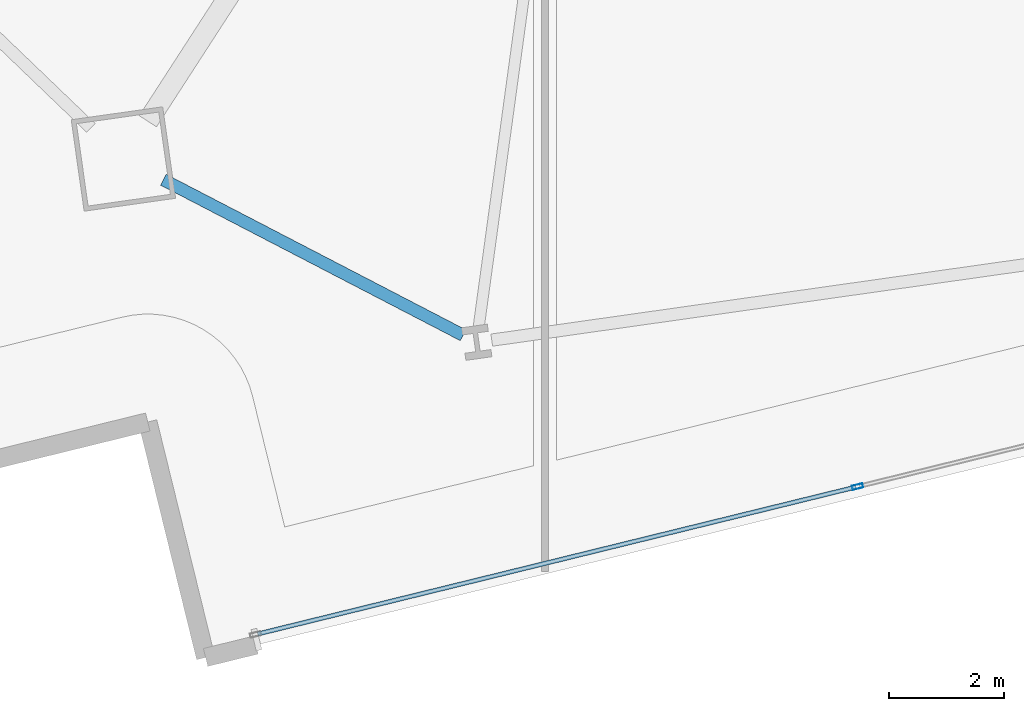
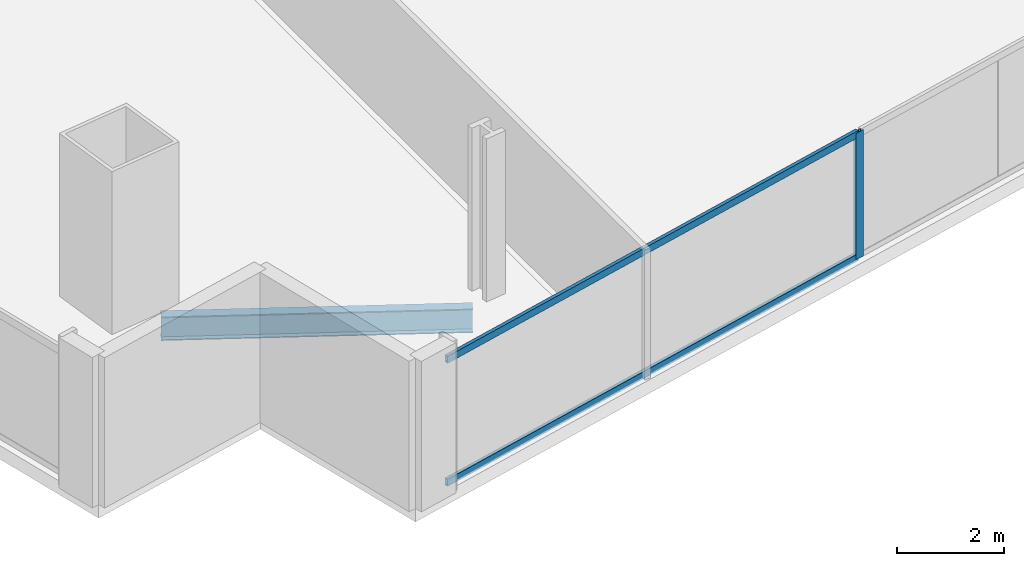
# One storey, part 3 of 32: 3 members, 1 beam, 1 element without a shape of its own.
"""IFC4 building model written with IfcOpenShell, lengths in metres."""

import ifcopenshell
import ifcopenshell.guid

model = None  # the IFC model being written
_history = None  # IfcOwnerHistory: only IFC2X3 demands one
_inside = {}  # id of a spatial element -> (the spatial element, [elements in it])
_under = {}  # id of a project, library or spatial element -> (it, [spatial elements below it])
_declared = {}  # id of a project -> (the project, [libraries it declares])
_typed = {}  # id of a type object -> (the type object, [elements of that type])
_made_of = {}  # id of a material, layer set ... -> (it, [elements and type objects made of it])


def new_model(schema):
    """Start an empty IFC model of exactly this schema.

    Asked for "IFC4X3", IfcOpenShell would pick the latest addendum, in which some entities
    have other attributes; the version numbers below select the first issue.
    IFC2X3 requires an IfcOwnerHistory on every rooted entity: one is made here for all.
    """
    global model, _history
    if schema == "IFC4X3":
        model = ifcopenshell.file(schema_version=(4, 3, 0, 0))
    else:
        model = ifcopenshell.file(schema=schema)
    _inside.clear()
    _under.clear()
    _declared.clear()
    _typed.clear()
    _made_of.clear()
    _history = None
    if model.schema == "IFC2X3":
        org = make("IfcOrganization", Name="unknown")
        user = make(
            "IfcPersonAndOrganization",
            ThePerson=make("IfcPerson", FamilyName="unknown"),
            TheOrganization=org,
        )
        app = make(
            "IfcApplication",
            ApplicationDeveloper=org,
            Version="unknown",
            ApplicationFullName="unknown",
            ApplicationIdentifier="unknown",
        )
        _history = make(
            "IfcOwnerHistory",
            OwningUser=user,
            OwningApplication=app,
            ChangeAction="ADDED",
            CreationDate=0,
        )
    return model


def make(cls, **values):
    """One entity of the class cls with the attributes given. An attribute that is None is left unset."""
    return model.create_entity(
        cls, **{name: value for name, value in values.items() if value is not None}
    )


def rooted(cls, **values):
    """An entity with a GlobalId (a new one), such as an element, a storey or a relation."""
    return make(cls, GlobalId=ifcopenshell.guid.new(), OwnerHistory=_history, **values)


def si_unit(unit_type, name, prefix=None):
    """IfcSIUnit, for example si_unit("LENGTHUNIT", "METRE", prefix="MILLI")."""
    return make("IfcSIUnit", UnitType=unit_type, Prefix=prefix, Name=name)


def assignment(units):
    """IfcUnitAssignment: the units of a project."""
    return None if units is None else make("IfcUnitAssignment", Units=units)


def point(xyz):
    """IfcCartesianPoint."""
    return None if xyz is None else make("IfcCartesianPoint", Coordinates=xyz)


def direction(xyz):
    """IfcDirection."""
    return None if xyz is None else make("IfcDirection", DirectionRatios=xyz)


def frame(location, z_axis=None, x_axis=None):
    """IfcAxis2Placement3D, a coordinate frame: its origin and axes. An axis left out is left unset."""
    return make(
        "IfcAxis2Placement3D",
        Location=point(location),
        Axis=direction(z_axis),
        RefDirection=direction(x_axis),
    )


def frame_2d(location, x_axis=None):
    """IfcAxis2Placement2D, a coordinate frame in the plane: its origin and x axis."""
    return make(
        "IfcAxis2Placement2D", Location=point(location), RefDirection=direction(x_axis)
    )


def origin():
    """The frame at (0, 0, 0) with its axes left unset."""
    return frame((0.0, 0.0, 0.0))


def origin_2d():
    """The frame at (0, 0) in the plane with its x axis left unset."""
    return frame_2d((0.0, 0.0))


def place(relative_to, where):
    """IfcLocalPlacement: puts the frame where relative to a parent placement (None: the world)."""
    return make(
        "IfcLocalPlacement", PlacementRelTo=relative_to, RelativePlacement=where
    )


def context(
    kind, dimensions, precision=None, world=None, true_north=None, identifier=None
):
    """IfcGeometricRepresentationContext, for example the 3D "Model" context."""
    return make(
        "IfcGeometricRepresentationContext",
        ContextIdentifier=identifier,
        ContextType=kind,
        CoordinateSpaceDimension=dimensions,
        Precision=precision,
        WorldCoordinateSystem=world,
        TrueNorth=true_north,
    )


def subcontext(parent, identifier, kind, view, scale=None):
    """IfcGeometricRepresentationSubContext, for example "Body" below "Model"."""
    return make(
        "IfcGeometricRepresentationSubContext",
        ContextIdentifier=identifier,
        ContextType=kind,
        ParentContext=parent,
        TargetScale=scale,
        TargetView=view,
    )


def project(units=None, contexts=None):
    """IfcProject with its units and contexts."""
    return rooted(
        "IfcProject",
        Name="project",
        RepresentationContexts=contexts,
        UnitsInContext=assignment(units),
    )


def spatial(cls, under=None, at=None, **own):
    """A site, building, storey or space (cls), placed at a placement, below another one or the project."""
    s = rooted(cls, ObjectPlacement=at, **own)
    if under is not None:
        _under.setdefault(under.id(), (under, []))[1].append(s)
    return s


def profile(cls, at=None, kind="AREA", **sizes):
    """A parametric profile (cls). Its sizes go by their IFC names, for example OverallWidth=200.0."""
    return make(cls, ProfileType=kind, Position=at, **sizes)


def hollow_rectangle(**sizes):
    """IfcRectangleHollowProfileDef."""
    return profile("IfcRectangleHollowProfileDef", **sizes)


def i_section(**sizes):
    """IfcIShapeProfileDef."""
    return profile("IfcIShapeProfileDef", **sizes)


def extrude(swept, where, along, depth):
    """IfcExtrudedAreaSolid: the profile swept, set in the frame where, extruded along a direction by depth."""
    return make(
        "IfcExtrudedAreaSolid",
        SweptArea=swept,
        Position=where,
        ExtrudedDirection=direction(along),
        Depth=depth,
    )


def shape(context_of_items, identifier, shape_type, items):
    """IfcShapeRepresentation: the items that make up one representation, for example the "Body"."""
    return make(
        "IfcShapeRepresentation",
        ContextOfItems=context_of_items,
        RepresentationIdentifier=identifier,
        RepresentationType=shape_type,
        Items=items,
    )


def material(Name=None, Category=None):
    """IfcMaterial."""
    return make("IfcMaterial", Name=Name, Category=Category)


def material_profile(
    of_material, cross_section, Name=None, Category=None, Priority=None
):
    """IfcMaterialProfile: a cross section and its material."""
    return make(
        "IfcMaterialProfile",
        Name=Name,
        Material=of_material,
        Profile=cross_section,
        Priority=Priority,
        Category=Category,
    )


def profile_set(profiles, Name=None, composite=None):
    """IfcMaterialProfileSet."""
    return make(
        "IfcMaterialProfileSet",
        Name=Name,
        MaterialProfiles=profiles,
        CompositeProfile=composite,
    )


def made_of(thing, what):
    """Note that an element or type object is made of a material, layer set ...; save() writes the relation."""
    if what is not None:
        _made_of.setdefault(what.id(), (what, []))[1].append(thing)
    return thing


def type_object(cls, material=None, **own):
    """A type object (cls), such as IfcWallType, which elements share."""
    return made_of(rooted(cls, **own), material)


def element(
    cls,
    number,
    at=None,
    inside=None,
    cuts=None,
    type_object=None,
    material=None,
    context=None,
    identifier="Body",
    shape_type=None,
    held_by="IfcProductDefinitionShape",
    body=None,
    shapes=None,
    **own,
):
    """One element of the class cls, such as IfcWall. Its Tag is "e" and its number.

    at: its placement. inside: the storey or other place that contains it. cuts: it is an
    opening in that element (IfcRelVoidsElement). A single representation is given by context,
    identifier, shape_type and body (its items); several are given by shapes. held_by: the class
    of the entity that holds the representations. save() writes the other relations.
    """
    e = rooted(cls, Tag="e%d" % number, ObjectPlacement=at, **own)
    if body is not None:
        shapes = [shape(context, identifier, shape_type, body)]
    if shapes is not None:
        e.Representation = make(held_by, Representations=shapes)
    if inside is not None:
        _inside.setdefault(inside.id(), (inside, []))[1].append(e)
    if cuts is not None:
        rooted(
            "IfcRelVoidsElement", RelatingBuildingElement=cuts, RelatedOpeningElement=e
        )
    if type_object is not None:
        _typed.setdefault(type_object.id(), (type_object, []))[1].append(e)
    return made_of(e, material)


def aggregate(whole, parts):
    """IfcRelAggregates: a whole, such as a stair, and the parts it consists of."""
    return rooted("IfcRelAggregates", RelatingObject=whole, RelatedObjects=parts)


def save(model, path):
    """Write the relations noted so far, then the file.

    IfcRelAggregates (storeys below a building ...), IfcRelContainedInSpatialStructure (elements
    in a storey), IfcRelDefinesByType, IfcRelAssociatesMaterial and IfcRelDeclares: one each for
    every whole, place, type object, material and project.
    """
    for whole, parts in _under.values():
        aggregate(whole, parts)
    for where, things in _inside.values():
        rooted(
            "IfcRelContainedInSpatialStructure",
            RelatedElements=things,
            RelatingStructure=where,
        )
    for kind, things in _typed.values():
        rooted("IfcRelDefinesByType", RelatedObjects=things, RelatingType=kind)
    for what, things in _made_of.values():
        rooted("IfcRelAssociatesMaterial", RelatedObjects=things, RelatingMaterial=what)
    for by, libraries in _declared.values():
        rooted("IfcRelDeclares", RelatingContext=by, RelatedDefinitions=libraries)
    model.write(path)


model = new_model("IFC4")

# Units and contexts
model_context = context("Model", 3, precision=1e-05, world=origin(), true_north=direction((0.0, 1.0)))
body_context = subcontext(model_context, "Body", "Model", "MODEL_VIEW")
ifc_project = project(units=[si_unit("LENGTHUNIT", "METRE"), si_unit("AREAUNIT", "SQUARE_METRE"), si_unit("VOLUMEUNIT", "CUBIC_METRE"), si_unit("PLANEANGLEUNIT", "RADIAN"), si_unit("MASSUNIT", "GRAM", prefix="KILO")], contexts=[model_context])

# Site, building, storey
site_placement = place(None, origin())
site = spatial("IfcSite", under=ifc_project, at=site_placement, CompositionType="ELEMENT")
building_placement = place(site_placement, origin())
building = spatial("IfcBuilding", under=site, at=building_placement, Name="Haldenkirk Collegiate Tower", CompositionType="ELEMENT")
storey_placement = place(building_placement, frame((0.0, 0.0, 73.949951171875)))
storey = spatial("IfcBuildingStorey", under=building, at=storey_placement, Name="L17", CompositionType="ELEMENT", Elevation=73.949951171875)

# Beam
ifc_material_1 = material(Name="Steel ASTM A992 Grade 50", Category="steel")
ifc_material_profile_1 = material_profile(ifc_material_1, i_section(OverallWidth=0.2119140625, OverallDepth=0.5439453125, WebThickness=0.01318359375, FlangeThickness=0.021240234375, at=origin_2d()), Name="W21X83")
ifc_profile_set_1 = profile_set([ifc_material_profile_1], Name="Steel ASTM A992 Grade 50")
beam_type = type_object("IfcBeamType", Name="BM-SPANDREL-W21X83", PredefinedType="SPANDREL", material=ifc_profile_set_1)
beam_placement = place(storey_placement, frame((19.388671875, 4.8125, -0.58203125), z_axis=(0.887640153988, -0.460537682528, 0.0), x_axis=(0.460537682528, 0.887640153988, 0.0)))
element("IfcBeam", 1, at=beam_placement, inside=storey, type_object=beam_type, Name="L17 perimeter spandrel beam 01", PredefinedType="SPANDREL", context=body_context, shape_type="SweptSolid", body=[
    extrude(i_section(OverallWidth=0.2119140625, OverallDepth=0.5439453125, WebThickness=0.01318359375, FlangeThickness=0.021240234375, at=origin_2d()), origin(), (0.0, 0.0, 1.0), 5.848876953125),
])

# Curtain wall, members
ifc_material_2 = material(Name="Anodised architectural bronze aluminium", Category="aluminium")
curtain_wall_type = type_object("IfcCurtainWallType", Name="CW-SYS2-CONCAVE", PredefinedType="USERDEFINED", material=ifc_material_2)
curtain_wall_placement = place(storey_placement, origin())
curtain_wall = element("IfcCurtainWall", 2, at=curtain_wall_placement, inside=storey, type_object=curtain_wall_type, Name="L17 South concave recessed bronze-anodised curtain wall", ObjectType="UNITISED CURTAIN WALL", PredefinedType="USERDEFINED")
ifc_material_profile_2 = material_profile(ifc_material_2, hollow_rectangle(XDim=0.074951171875, YDim=0.18994140625, WallThickness=0.0048828125, at=origin_2d()), Name="CW-MUL-02")
ifc_profile_set_2 = profile_set([ifc_material_profile_2], Name="Anodised architectural bronze aluminium")
member_type_1 = type_object("IfcMemberType", Name="CW-MUL-02", PredefinedType="MULLION", material=ifc_profile_set_2)
member_1_placement = place(storey_placement, frame((31.414794921875, -0.50390625, 0.0), z_axis=(0.0, 0.0, 1.0), x_axis=(0.238533027316, -0.971134385592, 0.0)))
member_1 = element("IfcMember", 3, at=member_1_placement, type_object=member_type_1, Name="CW-02 mullion 4", PredefinedType="MULLION", context=body_context, shape_type="SweptSolid", body=[
    extrude(hollow_rectangle(XDim=0.074951171875, YDim=0.18994140625, WallThickness=0.0048828125, at=origin_2d()), origin(), (0.0, 0.0, 1.0), 2.89111328125),
])
ifc_material_profile_3 = material_profile(ifc_material_2, hollow_rectangle(XDim=0.074951171875, YDim=0.159912109375, WallThickness=0.0048828125, at=origin_2d()), Name="CW-TRN-02")
ifc_profile_set_3 = profile_set([ifc_material_profile_3], Name="Anodised architectural bronze aluminium")
member_type_2 = type_object("IfcMemberType", Name="CW-TRN-02", PredefinedType="USERDEFINED", material=ifc_profile_set_3)
member_2_placement = place(storey_placement, frame((31.378173828125, -0.5126953125, 0.03759765625), z_axis=(-0.971132327906, -0.238541404572, 0.0), x_axis=(0.238541404572, -0.971132327906, 0.0)))
member_2 = element("IfcMember", 4, at=member_2_placement, type_object=member_type_2, Name="CW-02 transom 4.1", ObjectType="TRANSOM", PredefinedType="USERDEFINED", context=body_context, shape_type="SweptSolid", body=[
    extrude(hollow_rectangle(XDim=0.074951171875, YDim=0.159912109375, WallThickness=0.0048828125, at=origin_2d()), origin(), (0.0, 0.0, 1.0), 10.66259765625),
])
member_3_placement = place(storey_placement, frame((31.378173828125, -0.5126953125, 2.853515625), z_axis=(-0.971132327906, -0.238541404572, 0.0), x_axis=(0.238541404572, -0.971132327906, 0.0)))
member_3 = element("IfcMember", 5, at=member_3_placement, type_object=member_type_2, Name="CW-02 transom 4.2", ObjectType="TRANSOM", PredefinedType="USERDEFINED", context=body_context, shape_type="SweptSolid", body=[
    extrude(hollow_rectangle(XDim=0.074951171875, YDim=0.159912109375, WallThickness=0.0048828125, at=origin_2d()), origin(), (0.0, 0.0, 1.0), 10.66259765625),
])
aggregate(curtain_wall, [member_1, member_2, member_3])

save(model, "model.ifc")
